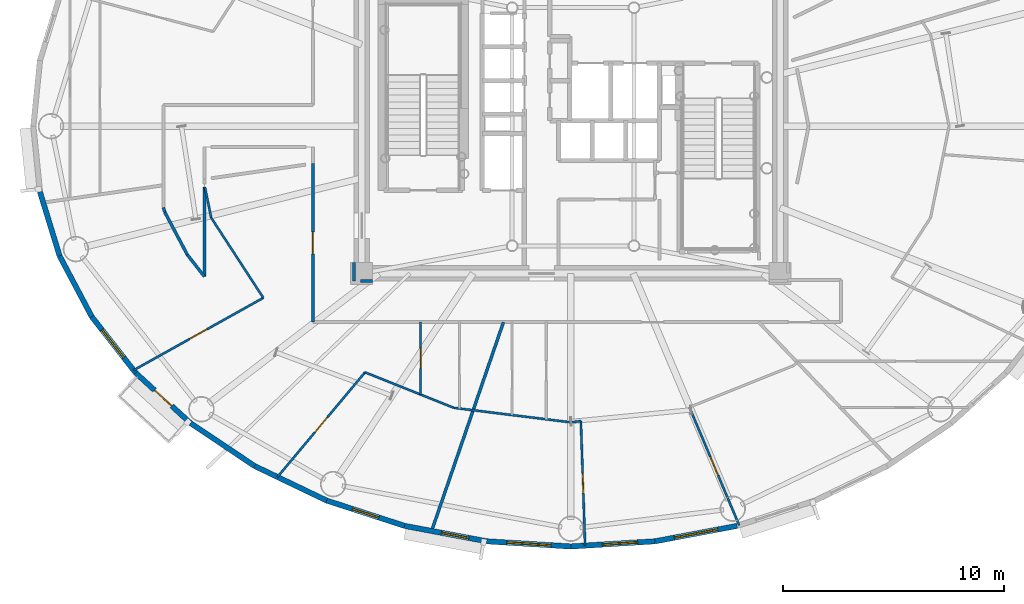
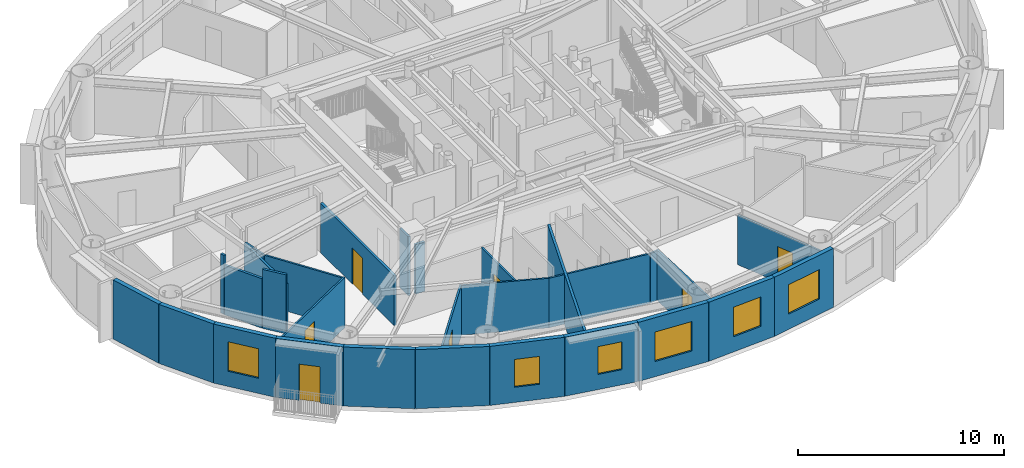
# One storey, part 8 of 20: 29 walls, 7 doors, 6 windows, 13 openings.
"""IFC4 building model written with IfcOpenShell, lengths in metres."""

from ifc_helpers import new_model, si_unit, direction, frame, frame_2d, origin, origin_2d, place, context, subcontext, project, spatial, rectangle, extrude, source, transform, mapped, material, layer, layer_set, type_object, element, fill, save


model = new_model("IFC4")

# Units and contexts
model_context = context("Model", 3, precision=1e-05, world=origin(), true_north=direction((0.0, 1.0)))
body_context = subcontext(model_context, "Body", "Model", "MODEL_VIEW")
ifc_project = project(units=[si_unit("LENGTHUNIT", "METRE"), si_unit("AREAUNIT", "SQUARE_METRE"), si_unit("VOLUMEUNIT", "CUBIC_METRE"), si_unit("PLANEANGLEUNIT", "RADIAN"), si_unit("MASSUNIT", "GRAM", prefix="KILO")], contexts=[model_context])

# Site, building, storey
site_placement = place(None, origin())
site = spatial("IfcSite", under=ifc_project, at=site_placement, CompositionType="ELEMENT")
building_placement = place(site_placement, origin())
building = spatial("IfcBuilding", under=site, at=building_placement, Name="Linh Dai School and Residence Tower", CompositionType="ELEMENT")
storey_placement = place(building_placement, frame((0.0, 0.0, 232.800048828125)))
storey = spatial("IfcBuildingStorey", under=building, at=storey_placement, Name="L57", CompositionType="ELEMENT", Elevation=232.800048828125)

# Walls
ifc_material_1 = material(Name="Precast Concrete B45 (C35/45)", Category="concrete")
ifc_layer_1 = layer(ifc_material_1, 0.239990234375)
ifc_layer_set_1 = layer_set([ifc_layer_1], Name="Precast Concrete B45 (C35/45)")
wall_type_1 = type_object("IfcWallType", Name="EW-TC-240", PredefinedType="SOLIDWALL", material=ifc_layer_set_1)
wall_1_placement = place(storey_placement, frame((12.90966796875, 21.14404296875, 0.0), z_axis=(0.0, 0.0, 1.0), x_axis=(-0.293132907334, 0.95607170162, 0.0)))
element("IfcWall", 1, at=wall_1_placement, inside=storey, type_object=wall_type_1, Name="L57 Terracotta Exterior Wall 22", PredefinedType="SOLIDWALL", context=body_context, shape_type="SweptSolid", body=[
    extrude(rectangle(XDim=3.02490234375, YDim=0.239990234375, at=frame_2d((1.512451171875, 0.0))), origin(), (0.0, 0.0, 1.0), 3.5),
])
wall_2_placement = place(storey_placement, frame((14.3642578125, 18.394775390625, 0.0), z_axis=(0.0, 0.0, 1.0), x_axis=(-0.46766049993, 0.883908172157, 0.0)))
element("IfcWall", 2, at=wall_2_placement, inside=storey, type_object=wall_type_1, Name="L57 Terracotta Exterior Wall 23", PredefinedType="SOLIDWALL", context=body_context, shape_type="SweptSolid", body=[
    extrude(rectangle(XDim=3.1103515625, YDim=0.239990234375, at=frame_2d((1.55517578125, 0.0))), origin(), (0.0, 0.0, 1.0), 3.5),
])

# Wall, opening, window
wall_3_placement = place(storey_placement, frame((16.3515625, 15.85546875, 0.0), z_axis=(0.0, 0.0, 1.0), x_axis=(-0.616312344705, 0.787501805562, 0.0)))
wall_3 = element("IfcWall", 3, at=wall_3_placement, inside=storey, type_object=wall_type_1, Name="L57 Terracotta Exterior Wall 24", PredefinedType="SOLIDWALL", context=body_context, shape_type="SweptSolid", body=[
    extrude(rectangle(XDim=3.224609375, YDim=0.239990234375, at=frame_2d((1.6123046875, 0.0))), origin(), (0.0, 0.0, 1.0), 3.5),
])
opening_1_placement = place(wall_3_placement, frame((0.8759765625, 0.0, 0.89990234375)))
opening_1 = element("IfcOpeningElement", 4, at=opening_1_placement, cuts=wall_3, Name="Opening W2", PredefinedType="OPENING", context=body_context, shape_type="SweptSolid", body=[
    extrude(rectangle(XDim=1.60009765625, YDim=1.75, at=origin_2d()), frame((0.800048828125, 0.1298828125, 0.875), z_axis=(0.0, -1.0, 0.0), x_axis=(1.0, 0.0, 0.0)), (0.0, 0.0, 1.0), 0.260009765625),
])
ifc_material_2 = material(Name="Double Low-E Insulated Glazing", Category="glass")
window_type_1 = type_object("IfcWindowType", Name="WN-RES-1600x1750", PartitioningType="DOUBLE_PANEL_VERTICAL", PredefinedType="WINDOW", material=ifc_material_2)
shared_shape_1 = source(origin(), body_context, "Body", "SweptSolid", [
    extrude(rectangle(XDim=1.60009765625, YDim=1.75, at=origin_2d()), frame((0.800048828125, 0.030029296875, 0.875), z_axis=(0.0, -1.0, 0.0), x_axis=(1.0, 0.0, 0.0)), (0.0, 0.0, 1.0), 0.06005859375),
])
window_1_placement = place(opening_1_placement, origin())
window_1 = element("IfcWindow", 5, at=window_1_placement, inside=storey, type_object=window_type_1, Name="L57 Exterior Window 24.1", OverallHeight=1.75, OverallWidth=1.60009765625, PartitioningType="DOUBLE_PANEL_VERTICAL", PredefinedType="WINDOW", context=body_context, shape_type="MappedRepresentation", body=[
    mapped(shared_shape_1, transform((0.0, 0.0, 0.0), x_axis=(1.0, 0.0, 0.0), y_axis=(0.0, 1.0, 0.0), z_axis=(0.0, 0.0, 1.0), scale=1.0)),
])
fill(opening_1, window_1)

# Wall, opening, door
wall_4_placement = place(storey_placement, frame((18.82373046875, 13.589111328125, 0.0), z_axis=(0.0, 0.0, 1.0), x_axis=(-0.737123922599, 0.675757591694, 0.0)))
wall_4 = element("IfcWall", 6, at=wall_4_placement, inside=storey, type_object=wall_type_1, Name="L57 Terracotta Exterior Wall 25", PredefinedType="SOLIDWALL", context=body_context, shape_type="SweptSolid", body=[
    extrude(rectangle(XDim=3.353759765625, YDim=0.239990234375, at=frame_2d((1.6767578125, 0.0))), origin(), (0.0, 0.0, 1.0), 3.5),
])
opening_2_placement = place(wall_4_placement, frame((1.15185546875, 0.0, 0.0)))
opening_2 = element("IfcOpeningElement", 7, at=opening_2_placement, cuts=wall_4, Name="Opening BD1", PredefinedType="OPENING", context=body_context, shape_type="SweptSolid", body=[
    extrude(rectangle(XDim=1.050048828125, YDim=2.14990234375, at=origin_2d()), frame((0.52490234375, 0.1298828125, 1.074951171875), z_axis=(0.0, -1.0, 0.0), x_axis=(1.0, 0.0, 0.0)), (0.0, 0.0, 1.0), 0.260009765625),
])
ifc_material_3 = material(Name="Double-Glazed Balcony Door", Category="glass")
door_type_1 = type_object("IfcDoorType", Name="DR-BALC-1050x2150", OperationType="NOTDEFINED", PredefinedType="DOOR", material=ifc_material_3)
shared_shape_2 = source(origin(), body_context, "Body", "SweptSolid", [
    extrude(rectangle(XDim=1.050048828125, YDim=2.14990234375, at=origin_2d()), frame((0.52490234375, 0.02490234375, 1.074951171875), z_axis=(0.0, -1.0, 0.0), x_axis=(1.0, 0.0, 0.0)), (0.0, 0.0, 1.0), 0.050048828125),
])
door_1_placement = place(opening_2_placement, origin())
door_1 = element("IfcDoor", 8, at=door_1_placement, inside=storey, type_object=door_type_1, Name="L57 Glazed Balcony Door 25", OperationType="SINGLE_SWING_RIGHT", OverallHeight=2.14990234375, OverallWidth=1.050048828125, PredefinedType="DOOR", context=body_context, shape_type="MappedRepresentation", body=[
    mapped(shared_shape_2, transform((0.0, 0.0, 0.0), x_axis=(1.0, 0.0, 0.0), y_axis=(0.0, 1.0, 0.0), z_axis=(0.0, 0.0, 1.0), scale=1.0)),
])
fill(opening_2, door_1)

# Walls
wall_5_placement = place(storey_placement, frame((21.719970703125, 11.65234375, 0.0), z_axis=(0.0, 0.0, 1.0), x_axis=(-0.831262496074, 0.555880079352, 0.0)))
element("IfcWall", 9, at=wall_5_placement, inside=storey, type_object=wall_type_1, Name="L57 Terracotta Exterior Wall 26", PredefinedType="SOLIDWALL", context=body_context, shape_type="SweptSolid", body=[
    extrude(rectangle(XDim=3.484130859375, YDim=0.239990234375, at=frame_2d((1.7421875, 0.0))), origin(), (0.0, 0.0, 1.0), 3.5),
])
wall_6_placement = place(storey_placement, frame((24.968994140625, 10.093505859375, 0.0), z_axis=(0.0, 0.0, 1.0), x_axis=(-0.901598104751, 0.432574684313, 0.0)))
element("IfcWall", 10, at=wall_6_placement, inside=storey, type_object=wall_type_1, Name="L57 Terracotta Exterior Wall 27", PredefinedType="SOLIDWALL", context=body_context, shape_type="SweptSolid", body=[
    extrude(rectangle(XDim=3.603515625, YDim=0.239990234375, at=frame_2d((1.8017578125, 0.0))), origin(), (0.0, 0.0, 1.0), 3.5),
])

# Wall, opening, window
wall_7_placement = place(storey_placement, frame((28.49072265625, 8.951171875, 0.0), z_axis=(0.0, 0.0, 1.0), x_axis=(-0.951210789182, 0.308541787354, 0.0)))
wall_7 = element("IfcWall", 11, at=wall_7_placement, inside=storey, type_object=wall_type_1, Name="L57 Terracotta Exterior Wall 28", PredefinedType="SOLIDWALL", context=body_context, shape_type="SweptSolid", body=[
    extrude(rectangle(XDim=3.702392578125, YDim=0.239990234375, at=frame_2d((1.85107421875, 0.0))), origin(), (0.0, 0.0, 1.0), 3.5),
])
opening_3_placement = place(wall_7_placement, frame((1.226318359375, 0.0, 0.89990234375)))
opening_3 = element("IfcOpeningElement", 12, at=opening_3_placement, cuts=wall_7, Name="Opening W3", PredefinedType="OPENING", context=body_context, shape_type="SweptSolid", body=[
    extrude(rectangle(XDim=1.25, YDim=1.64990234375, at=origin_2d()), frame((0.625, 0.1298828125, 0.824951171875), z_axis=(0.0, -1.0, 0.0), x_axis=(1.0, 0.0, 0.0)), (0.0, 0.0, 1.0), 0.260009765625),
])
window_type_2 = type_object("IfcWindowType", Name="WN-RES-1250x1650", PartitioningType="SINGLE_PANEL", PredefinedType="WINDOW", material=ifc_material_2)
shared_shape_3 = source(origin(), body_context, "Body", "SweptSolid", [
    extrude(rectangle(XDim=1.25, YDim=1.64990234375, at=origin_2d()), frame((0.625, 0.030029296875, 0.824951171875), z_axis=(0.0, -1.0, 0.0), x_axis=(1.0, 0.0, 0.0)), (0.0, 0.0, 1.0), 0.06005859375),
])
window_2_placement = place(opening_3_placement, origin())
window_2 = element("IfcWindow", 13, at=window_2_placement, inside=storey, type_object=window_type_2, Name="L57 Dwelling Window U5703-BD2", OverallHeight=1.64990234375, OverallWidth=1.25, PartitioningType="SINGLE_PANEL", PredefinedType="WINDOW", context=body_context, shape_type="MappedRepresentation", body=[
    mapped(shared_shape_3, transform((0.0, 0.0, 0.0), x_axis=(1.0, 0.0, 0.0), y_axis=(0.0, 1.0, 0.0), z_axis=(0.0, 0.0, 1.0), scale=1.0)),
])
fill(opening_3, window_2)

wall_8_placement = place(storey_placement, frame((32.198486328125, 8.254150390625, 0.0), z_axis=(0.0, 0.0, 1.0), x_axis=(-0.982784898575, 0.184753465822, 0.0)))
wall_8 = element("IfcWall", 14, at=wall_8_placement, inside=storey, type_object=wall_type_1, Name="L57 Terracotta Exterior Wall 29", PredefinedType="SOLIDWALL", context=body_context, shape_type="SweptSolid", body=[
    extrude(rectangle(XDim=3.772705078125, YDim=0.239990234375, at=frame_2d((1.88623046875, 0.0))), origin(), (0.0, 0.0, 1.0), 3.5),
])
opening_4_placement = place(wall_8_placement, frame((0.824462890625, 0.0, 0.89990234375)))
opening_4 = element("IfcOpeningElement", 15, at=opening_4_placement, cuts=wall_8, Name="Opening W3", PredefinedType="OPENING", context=body_context, shape_type="SweptSolid", body=[
    extrude(rectangle(XDim=1.25, YDim=1.64990234375, at=origin_2d()), frame((0.625, 0.1298828125, 0.824951171875), z_axis=(0.0, -1.0, 0.0), x_axis=(1.0, 0.0, 0.0)), (0.0, 0.0, 1.0), 0.260009765625),
])
window_3_placement = place(opening_4_placement, origin())
window_3 = element("IfcWindow", 16, at=window_3_placement, inside=storey, type_object=window_type_2, Name="L57 Exterior Window 29.1", OverallHeight=1.64990234375, OverallWidth=1.25, PartitioningType="SINGLE_PANEL", PredefinedType="WINDOW", context=body_context, shape_type="MappedRepresentation", body=[
    mapped(shared_shape_3, transform((0.0, 0.0, 0.0), x_axis=(1.0, 0.0, 0.0), y_axis=(0.0, 1.0, 0.0), z_axis=(0.0, 0.0, 1.0), scale=1.0)),
])
fill(opening_4, window_3)

wall_9_placement = place(storey_placement, frame((36.0, 8.02001953125, 0.0), z_axis=(0.0, 0.0, 1.0), x_axis=(-0.998108785312, 0.06147237333, 0.0)))
wall_9 = element("IfcWall", 17, at=wall_9_placement, inside=storey, type_object=wall_type_1, Name="L57 Terracotta Exterior Wall 30", PredefinedType="SOLIDWALL", context=body_context, shape_type="SweptSolid", body=[
    extrude(rectangle(XDim=3.808837890625, YDim=0.239990234375, at=frame_2d((1.904296875, 0.0))), origin(), (0.0, 0.0, 1.0), 3.5),
])
opening_5_placement = place(wall_9_placement, frame((0.904296875, 0.0, 0.89990234375)))
opening_5 = element("IfcOpeningElement", 18, at=opening_5_placement, cuts=wall_9, Name="Opening W1", PredefinedType="OPENING", context=body_context, shape_type="SweptSolid", body=[
    extrude(rectangle(XDim=2.0, YDim=1.75, at=origin_2d()), frame((1.0, 0.1298828125, 0.875), z_axis=(0.0, -1.0, 0.0), x_axis=(1.0, 0.0, 0.0)), (0.0, 0.0, 1.0), 0.260009765625),
])
window_type_3 = type_object("IfcWindowType", Name="WN-RES-2000x1750", PartitioningType="DOUBLE_PANEL_VERTICAL", PredefinedType="WINDOW", material=ifc_material_2)
shared_shape_4 = source(origin(), body_context, "Body", "SweptSolid", [
    extrude(rectangle(XDim=2.0, YDim=1.75, at=origin_2d()), frame((1.0, 0.030029296875, 0.875), z_axis=(0.0, -1.0, 0.0), x_axis=(1.0, 0.0, 0.0)), (0.0, 0.0, 1.0), 0.06005859375),
])
window_4_placement = place(opening_5_placement, origin())
window_4 = element("IfcWindow", 19, at=window_4_placement, inside=storey, type_object=window_type_3, Name="L57 Exterior Window 30.1", OverallHeight=1.75, OverallWidth=2.0, PartitioningType="DOUBLE_PANEL_VERTICAL", PredefinedType="WINDOW", context=body_context, shape_type="MappedRepresentation", body=[
    mapped(shared_shape_4, transform((0.0, 0.0, 0.0), x_axis=(1.0, 0.0, 0.0), y_axis=(0.0, 1.0, 0.0), z_axis=(0.0, 0.0, 1.0), scale=1.0)),
])
fill(opening_5, window_4)

wall_10_placement = place(storey_placement, frame((39.801513671875, 8.254150390625, 0.0), z_axis=(0.0, 0.0, 1.0), x_axis=(-0.998108785312, -0.06147237333, 0.0)))
wall_10 = element("IfcWall", 20, at=wall_10_placement, inside=storey, type_object=wall_type_1, Name="L57 Terracotta Exterior Wall 31", PredefinedType="SOLIDWALL", context=body_context, shape_type="SweptSolid", body=[
    extrude(rectangle(XDim=3.808837890625, YDim=0.239990234375, at=frame_2d((1.904296875, 0.0))), origin(), (0.0, 0.0, 1.0), 3.5),
])
opening_6_placement = place(wall_10_placement, frame((0.78466796875, 0.0, 0.89990234375)))
opening_6 = element("IfcOpeningElement", 21, at=opening_6_placement, cuts=wall_10, Name="Opening W2", PredefinedType="OPENING", context=body_context, shape_type="SweptSolid", body=[
    extrude(rectangle(XDim=1.60009765625, YDim=1.75, at=origin_2d()), frame((0.800048828125, 0.1298828125, 0.875), z_axis=(0.0, -1.0, 0.0), x_axis=(1.0, 0.0, 0.0)), (0.0, 0.0, 1.0), 0.260009765625),
])
window_5_placement = place(opening_6_placement, origin())
window_5 = element("IfcWindow", 22, at=window_5_placement, inside=storey, type_object=window_type_1, Name="L57 Exterior Window 31.1", OverallHeight=1.75, OverallWidth=1.60009765625, PartitioningType="DOUBLE_PANEL_VERTICAL", PredefinedType="WINDOW", context=body_context, shape_type="MappedRepresentation", body=[
    mapped(shared_shape_1, transform((0.0, 0.0, 0.0), x_axis=(1.0, 0.0, 0.0), y_axis=(0.0, 1.0, 0.0), z_axis=(0.0, 0.0, 1.0), scale=1.0)),
])
fill(opening_6, window_5)

wall_11_placement = place(storey_placement, frame((43.50927734375, 8.951171875, 0.0), z_axis=(0.0, 0.0, 1.0), x_axis=(-0.982784898575, -0.184753465822, 0.0)))
wall_11 = element("IfcWall", 23, at=wall_11_placement, inside=storey, type_object=wall_type_1, Name="L57 Terracotta Exterior Wall 32", PredefinedType="SOLIDWALL", context=body_context, shape_type="SweptSolid", body=[
    extrude(rectangle(XDim=3.772705078125, YDim=0.239990234375, at=frame_2d((1.88623046875, 0.0))), origin(), (0.0, 0.0, 1.0), 3.5),
])
opening_7_placement = place(wall_11_placement, frame((0.88623046875, 0.0, 0.89990234375)))
opening_7 = element("IfcOpeningElement", 24, at=opening_7_placement, cuts=wall_11, Name="Opening W1", PredefinedType="OPENING", context=body_context, shape_type="SweptSolid", body=[
    extrude(rectangle(XDim=2.0, YDim=1.75, at=origin_2d()), frame((1.0, 0.1298828125, 0.875), z_axis=(0.0, -1.0, 0.0), x_axis=(1.0, 0.0, 0.0)), (0.0, 0.0, 1.0), 0.260009765625),
])
window_6_placement = place(opening_7_placement, origin())
window_6 = element("IfcWindow", 25, at=window_6_placement, inside=storey, type_object=window_type_3, Name="L57 Exterior Window 32.1", OverallHeight=1.75, OverallWidth=2.0, PartitioningType="DOUBLE_PANEL_VERTICAL", PredefinedType="WINDOW", context=body_context, shape_type="MappedRepresentation", body=[
    mapped(shared_shape_4, transform((0.0, 0.0, 0.0), x_axis=(1.0, 0.0, 0.0), y_axis=(0.0, 1.0, 0.0), z_axis=(0.0, 0.0, 1.0), scale=1.0)),
])
fill(opening_7, window_6)

# Walls
ifc_material_4 = material(Name="Autoclaved Aerated Concrete Blockwork", Category="masonry")
ifc_layer_2 = layer(ifc_material_4, 0.135009765625)
ifc_layer_set_2 = layer_set([ifc_layer_2], Name="Autoclaved Aerated Concrete Blockwork")
wall_type_2 = type_object("IfcWallType", Name="IW-CORR-135-EI90", PredefinedType="PARTITIONING", material=ifc_layer_set_2)
wall_12_placement = place(storey_placement, frame((17.60009765625, 23.327880859375, 0.0), z_axis=(0.0, 0.0, 1.0), x_axis=(0.292875000845, -0.956150738053, 0.0)))
element("IfcWall", 26, at=wall_12_placement, inside=storey, type_object=wall_type_2, Name="L57 Interior Partition Wall 008", PredefinedType="PARTITIONING", context=body_context, shape_type="SweptSolid", body=[
    extrude(rectangle(XDim=0.226806640625, YDim=0.135009765625, at=frame_2d((0.11328125, 0.0))), origin(), (0.0, 0.0, 1.0), 3.5),
])
wall_13_placement = place(storey_placement, frame((17.66650390625, 23.111083984375, 0.0), z_axis=(0.0, 0.0, 1.0), x_axis=(0.467675622269, -0.883900171024, 0.0)))
element("IfcWall", 27, at=wall_13_placement, inside=storey, type_object=wall_type_2, Name="L57 Interior Partition Wall 010", PredefinedType="PARTITIONING", context=body_context, shape_type="SweptSolid", body=[
    extrude(rectangle(XDim=2.16845703125, YDim=0.135009765625, at=frame_2d((1.084228515625, 0.0))), origin(), (0.0, 0.0, 1.0), 2.93505859375),
])
wall_14_placement = place(storey_placement, frame((18.6806640625, 21.1943359375, 0.0), z_axis=(0.0, 0.0, 1.0), x_axis=(0.616239706802, -0.787558647823, 0.0)))
element("IfcWall", 28, at=wall_14_placement, inside=storey, type_object=wall_type_2, Name="L57 Interior Partition Wall 011", PredefinedType="PARTITIONING", context=body_context, shape_type="SweptSolid", body=[
    extrude(rectangle(XDim=1.248291015625, YDim=0.135009765625, at=frame_2d((0.6240234375, 0.0))), origin(), (0.0, 0.0, 1.0), 3.5),
])
wall_15_placement = place(storey_placement, frame((19.449951171875, 20.211181640625, 0.0), z_axis=(0.0, 0.0, 1.0), x_axis=(0.0, 1.0, 0.0)))
element("IfcWall", 29, at=wall_15_placement, inside=storey, type_object=wall_type_2, Name="L57 Interior Partition Wall 013", PredefinedType="PARTITIONING", context=body_context, shape_type="SweptSolid", body=[
    extrude(rectangle(XDim=4.042236328125, YDim=0.135009765625, at=frame_2d((2.02099609375, 0.0))), origin(), (0.0, 0.0, 1.0), 2.93505859375),
])

# Wall, opening, door
wall_16_placement = place(storey_placement, frame((24.35009765625, 18.14990234375, 0.0), z_axis=(0.0, 0.0, 1.0), x_axis=(0.0, 1.0, 0.0)))
wall_16 = element("IfcWall", 30, at=wall_16_placement, inside=storey, type_object=wall_type_2, Name="L57 Interior Partition Wall 020", PredefinedType="PARTITIONING", context=body_context, shape_type="SweptSolid", body=[
    extrude(rectangle(XDim=7.16259765625, YDim=0.135009765625, at=frame_2d((3.581298828125, 0.0))), origin(), (0.0, 0.0, 1.0), 2.93505859375),
])
opening_8_placement = place(wall_16_placement, frame((3.081298828125, 0.0, 0.0)))
opening_8 = element("IfcOpeningElement", 31, at=opening_8_placement, cuts=wall_16, Name="Opening D03", PredefinedType="OPENING", context=body_context, shape_type="SweptSolid", body=[
    extrude(rectangle(XDim=1.0, YDim=2.14990234375, at=origin_2d()), frame((0.5, 0.07763671875, 1.074951171875), z_axis=(0.0, -1.0, 0.0), x_axis=(1.0, 0.0, 0.0)), (0.0, 0.0, 1.0), 0.155029296875),
])
ifc_material_5 = material(Name="Fire-Rated Solid Timber Entrance Door", Category="wood")
door_type_2 = type_object("IfcDoorType", Name="DR-FLAT-1000x2150-FD60S", OperationType="NOTDEFINED", PredefinedType="DOOR", material=ifc_material_5)
shared_shape_5 = source(origin(), body_context, "Body", "SweptSolid", [
    extrude(rectangle(XDim=1.0, YDim=2.14990234375, at=origin_2d()), frame((0.5, 0.02490234375, 1.074951171875), z_axis=(0.0, -1.0, 0.0), x_axis=(1.0, 0.0, 0.0)), (0.0, 0.0, 1.0), 0.050048828125),
])
door_2_placement = place(opening_8_placement, origin())
door_2 = element("IfcDoor", 32, at=door_2_placement, inside=storey, type_object=door_type_2, Name="L57 U5703 Apartment Entrance Door", OperationType="SINGLE_SWING_RIGHT", OverallHeight=2.14990234375, OverallWidth=1.0, PredefinedType="DOOR", context=body_context, shape_type="MappedRepresentation", body=[
    mapped(shared_shape_5, transform((0.0, 0.0, 0.0), x_axis=(1.0, 0.0, 0.0), y_axis=(0.0, 1.0, 0.0), z_axis=(0.0, 0.0, 1.0), scale=1.0)),
])
fill(opening_8, door_2)

# Walls
wall_17_placement = place(storey_placement, frame((29.7109375, 8.716796875, 0.0), z_axis=(0.0, 0.0, 1.0), x_axis=(0.325280852175, 0.945617452889, 0.0)))
element("IfcWall", 33, at=wall_17_placement, inside=storey, type_object=wall_type_2, Name="L57 Interior Partition Wall 029", PredefinedType="PARTITIONING", context=body_context, shape_type="SweptSolid", body=[
    extrude(rectangle(XDim=9.9755859375, YDim=0.135009765625, at=frame_2d((4.98779296875, 0.0))), origin(), (0.0, 0.0, 1.0), 2.98486328125),
])
wall_18_placement = place(storey_placement, frame((26.199951171875, 20.840087890625, 0.0), z_axis=(0.0, 0.0, 1.0), x_axis=(0.0, -1.0, 0.0)))
element("IfcWall", 34, at=wall_18_placement, inside=storey, type_object=wall_type_2, Name="L57 Interior Partition Wall 109", PredefinedType="PARTITIONING", context=body_context, shape_type="SweptSolid", body=[
    extrude(rectangle(XDim=0.840087890625, YDim=0.135009765625, at=frame_2d((0.419921875, 0.0))), origin(), (0.0, 0.0, 1.0), 3.5),
])
wall_19_placement = place(storey_placement, frame((26.507568359375, 20.0, 0.0), z_axis=(0.0, 0.0, 1.0), x_axis=(1.0, 0.0, 0.0)))
element("IfcWall", 35, at=wall_19_placement, inside=storey, type_object=wall_type_2, Name="L57 Interior Partition Wall 110", PredefinedType="PARTITIONING", context=body_context, shape_type="SweptSolid", body=[
    extrude(rectangle(XDim=0.532470703125, YDim=0.135009765625, at=frame_2d((0.26611328125, 0.0))), origin(), (0.0, 0.0, 1.0), 2.93505859375),
])

# Wall, opening, door
ifc_material_6 = material(Name="Gypsum Plasterboard Acoustic Stud Partition", Category="masonry")
ifc_layer_3 = layer(ifc_material_6, 0.10009765625)
ifc_layer_set_3 = layer_set([ifc_layer_3], Name="Gypsum Plasterboard Acoustic Stud Partition")
wall_type_3 = type_object("IfcWallType", Name="IW-UNIT-100", PredefinedType="PARTITIONING", material=ifc_layer_set_3)
wall_20_placement = place(storey_placement, frame((16.250244140625, 15.97705078125, 0.0), z_axis=(0.0, 0.0, 1.0), x_axis=(0.87319302211, 0.487374543999, 0.0)))
wall_20 = element("IfcWall", 36, at=wall_20_placement, inside=storey, type_object=wall_type_3, Name="L57 Interior Partition Wall 006", PredefinedType="PARTITIONING", context=body_context, shape_type="SweptSolid", body=[
    extrude(rectangle(XDim=6.7119140625, YDim=0.10009765625, at=frame_2d((3.35595703125, 0.0))), origin(), (0.0, 0.0, 1.0), 2.98486328125),
])
opening_9_placement = place(wall_20_placement, frame((2.906005859375, 0.0, 0.0)))
opening_9 = element("IfcOpeningElement", 37, at=opening_9_placement, cuts=wall_20, Name="Opening D05", PredefinedType="OPENING", context=body_context, shape_type="SweptSolid", body=[
    extrude(rectangle(XDim=0.89990234375, YDim=2.10009765625, at=origin_2d()), frame((0.449951171875, 0.06005859375, 1.050048828125), z_axis=(0.0, -1.0, 0.0), x_axis=(1.0, 0.0, 0.0)), (0.0, 0.0, 1.0), 0.1201171875),
])
ifc_material_7 = material(Name="Engineered Timber Internal Door", Category="wood")
door_type_3 = type_object("IfcDoorType", Name="DR-INT-900x2100", OperationType="NOTDEFINED", PredefinedType="DOOR", material=ifc_material_7)
shared_shape_6 = source(origin(), body_context, "Body", "SweptSolid", [
    extrude(rectangle(XDim=0.89990234375, YDim=2.10009765625, at=origin_2d()), frame((0.449951171875, 0.02490234375, 1.050048828125), z_axis=(0.0, -1.0, 0.0), x_axis=(1.0, 0.0, 0.0)), (0.0, 0.0, 1.0), 0.050048828125),
])
door_3_placement = place(opening_9_placement, origin())
door_3 = element("IfcDoor", 38, at=door_3_placement, inside=storey, type_object=door_type_3, Name="L57 Apartment U5703 Principal Bedroom 1 Door", OperationType="SINGLE_SWING_LEFT", OverallHeight=2.10009765625, OverallWidth=0.89990234375, PredefinedType="DOOR", context=body_context, shape_type="MappedRepresentation", body=[
    mapped(shared_shape_6, transform((0.0, 0.0, 0.0), x_axis=(1.0, 0.0, 0.0), y_axis=(0.0, 1.0, 0.0), z_axis=(0.0, 0.0, 1.0), scale=1.0)),
])
fill(opening_9, door_3)

# Walls
wall_21_placement = place(storey_placement, frame((19.47509765625, 24.255859375, 0.0), z_axis=(0.0, 0.0, 1.0), x_axis=(0.198203790622, -0.980160832406, 0.0)))
element("IfcWall", 39, at=wall_21_placement, inside=storey, type_object=wall_type_3, Name="L57 Interior Partition Wall 015", PredefinedType="PARTITIONING", context=body_context, shape_type="SweptSolid", body=[
    extrude(rectangle(XDim=1.41650390625, YDim=0.10009765625, at=frame_2d((0.708251953125, 0.0))), origin(), (0.0, 0.0, 1.0), 2.93505859375),
])
wall_22_placement = place(storey_placement, frame((19.755859375, 22.867431640625, 0.0), z_axis=(0.0, 0.0, 1.0), x_axis=(0.545441385955, -0.83814896915, 0.0)))
element("IfcWall", 40, at=wall_22_placement, inside=storey, type_object=wall_type_3, Name="L57 Interior Partition Wall 016", PredefinedType="PARTITIONING", context=body_context, shape_type="SweptSolid", body=[
    extrude(rectangle(XDim=4.318115234375, YDim=0.10009765625, at=frame_2d((2.1591796875, 0.0))), origin(), (0.0, 0.0, 1.0), 2.93505859375),
])

# Wall, opening, door
wall_23_placement = place(storey_placement, frame((22.7470703125, 11.154052734375, 0.0), z_axis=(0.0, 0.0, 1.0), x_axis=(0.641565789242, 0.767068013982, 0.0)))
wall_23 = element("IfcWall", 41, at=wall_23_placement, inside=storey, type_object=wall_type_3, Name="L57 Interior Partition Wall 019", PredefinedType="PARTITIONING", context=body_context, shape_type="SweptSolid", body=[
    extrude(rectangle(XDim=6.166748046875, YDim=0.10009765625, at=frame_2d((3.08349609375, 0.0))), origin(), (0.0, 0.0, 1.0), 2.98486328125),
])
opening_10_placement = place(wall_23_placement, frame((2.63330078125, 0.0, 0.0)))
opening_10 = element("IfcOpeningElement", 42, at=opening_10_placement, cuts=wall_23, Name="Opening D05", PredefinedType="OPENING", context=body_context, shape_type="SweptSolid", body=[
    extrude(rectangle(XDim=0.89990234375, YDim=2.10009765625, at=origin_2d()), frame((0.449951171875, 0.06005859375, 1.050048828125), z_axis=(0.0, -1.0, 0.0), x_axis=(1.0, 0.0, 0.0)), (0.0, 0.0, 1.0), 0.1201171875),
])
door_4_placement = place(opening_10_placement, origin())
door_4 = element("IfcDoor", 43, at=door_4_placement, inside=storey, type_object=door_type_3, Name="L57 Apartment U5703 Bedroom 2 Door", OperationType="SINGLE_SWING_RIGHT", OverallHeight=2.10009765625, OverallWidth=0.89990234375, PredefinedType="DOOR", context=body_context, shape_type="MappedRepresentation", body=[
    mapped(shared_shape_6, transform((0.0, 0.0, 0.0), x_axis=(1.0, 0.0, 0.0), y_axis=(0.0, 1.0, 0.0), z_axis=(0.0, 0.0, 1.0), scale=1.0)),
])
fill(opening_10, door_4)

# Wall
wall_24_placement = place(storey_placement, frame((26.703369140625, 15.88427734375, 0.0), z_axis=(0.0, 0.0, 1.0), x_axis=(0.928807108231, -0.370563564991, 0.0)))
element("IfcWall", 44, at=wall_24_placement, inside=storey, type_object=wall_type_3, Name="L57 Interior Partition Wall 025", PredefinedType="PARTITIONING", context=body_context, shape_type="SweptSolid", body=[
    extrude(rectangle(XDim=4.32666015625, YDim=0.10009765625, at=frame_2d((2.163330078125, 0.0))), origin(), (0.0, 0.0, 1.0), 2.93505859375),
])

# Wall, opening, door
wall_25_placement = place(storey_placement, frame((29.212890625, 14.883056640625, 0.0), z_axis=(0.0, 0.0, 1.0), x_axis=(0.0, 1.0, 0.0)))
wall_25 = element("IfcWall", 45, at=wall_25_placement, inside=storey, type_object=wall_type_3, Name="L57 Interior Partition Wall 027", PredefinedType="PARTITIONING", context=body_context, shape_type="SweptSolid", body=[
    extrude(rectangle(XDim=3.266845703125, YDim=0.10009765625, at=frame_2d((1.63330078125, 0.0))), origin(), (0.0, 0.0, 1.0), 2.93505859375),
])
opening_11_placement = place(wall_25_placement, frame((1.183349609375, 0.0, 0.0)))
opening_11 = element("IfcOpeningElement", 46, at=opening_11_placement, cuts=wall_25, Name="Opening D05", PredefinedType="OPENING", context=body_context, shape_type="SweptSolid", body=[
    extrude(rectangle(XDim=0.89990234375, YDim=2.10009765625, at=origin_2d()), frame((0.449951171875, 0.06005859375, 1.050048828125), z_axis=(0.0, -1.0, 0.0), x_axis=(1.0, 0.0, 0.0)), (0.0, 0.0, 1.0), 0.1201171875),
])
door_5_placement = place(opening_11_placement, origin())
door_5 = element("IfcDoor", 47, at=door_5_placement, inside=storey, type_object=door_type_3, Name="L57 Apartment U5703 Kitchen Door", OperationType="SINGLE_SWING_LEFT", OverallHeight=2.10009765625, OverallWidth=0.89990234375, PredefinedType="DOOR", context=body_context, shape_type="MappedRepresentation", body=[
    mapped(shared_shape_6, transform((0.0, 0.0, 0.0), x_axis=(1.0, 0.0, 0.0), y_axis=(0.0, 1.0, 0.0), z_axis=(0.0, 0.0, 1.0), scale=1.0)),
])
fill(opening_11, door_5)

# Walls
wall_26_placement = place(storey_placement, frame((30.721923828125, 14.281005859375, 0.0), z_axis=(0.0, 0.0, 1.0), x_axis=(0.992398864395, -0.123062967412, 0.0)))
element("IfcWall", 48, at=wall_26_placement, inside=storey, type_object=wall_type_3, Name="L57 Interior Partition Wall 030", PredefinedType="PARTITIONING", context=body_context, shape_type="SweptSolid", body=[
    extrude(rectangle(XDim=5.31884765625, YDim=0.10009765625, at=frame_2d((2.659423828125, 0.0))), origin(), (0.0, 0.0, 1.0), 2.93505859375),
])
wall_27_placement = place(storey_placement, frame((36.0, 13.62646484375, 0.0), z_axis=(0.0, 0.0, 1.0), x_axis=(0.992368340182, 0.123308869931, 0.0)))
element("IfcWall", 49, at=wall_27_placement, inside=storey, type_object=wall_type_3, Name="L57 Interior Partition Wall 058", PredefinedType="PARTITIONING", context=body_context, shape_type="SweptSolid", body=[
    extrude(rectangle(XDim=0.455322265625, YDim=0.10009765625, at=frame_2d((0.2275390625, 0.0))), origin(), (0.0, 0.0, 1.0), 2.93505859375),
])

# Wall, opening, door
wall_28_placement = place(storey_placement, frame((36.451904296875, 13.6826171875, 0.0), z_axis=(0.0, 0.0, 1.0), x_axis=(0.033903801357, -0.999425100872, 0.0)))
wall_28 = element("IfcWall", 50, at=wall_28_placement, inside=storey, type_object=wall_type_3, Name="L57 Interior Partition Wall 061", PredefinedType="PARTITIONING", context=body_context, shape_type="SweptSolid", body=[
    extrude(rectangle(XDim=5.631103515625, YDim=0.10009765625, at=frame_2d((2.8154296875, 0.0))), origin(), (0.0, 0.0, 1.0), 2.98486328125),
])
opening_12_placement = place(wall_28_placement, frame((2.365478515625, 0.0, 0.0)))
opening_12 = element("IfcOpeningElement", 51, at=opening_12_placement, cuts=wall_28, Name="Opening D05", PredefinedType="OPENING", context=body_context, shape_type="SweptSolid", body=[
    extrude(rectangle(XDim=0.89990234375, YDim=2.10009765625, at=origin_2d()), frame((0.449951171875, 0.06005859375, 1.050048828125), z_axis=(0.0, -1.0, 0.0), x_axis=(1.0, 0.0, 0.0)), (0.0, 0.0, 1.0), 0.1201171875),
])
door_6_placement = place(opening_12_placement, origin())
door_6 = element("IfcDoor", 52, at=door_6_placement, inside=storey, type_object=door_type_3, Name="L57 Apartment U5704 Bedroom 1 Door", OperationType="SINGLE_SWING_RIGHT", OverallHeight=2.10009765625, OverallWidth=0.89990234375, PredefinedType="DOOR", context=body_context, shape_type="MappedRepresentation", body=[
    mapped(shared_shape_6, transform((0.0, 0.0, 0.0), x_axis=(1.0, 0.0, 0.0), y_axis=(0.0, 1.0, 0.0), z_axis=(0.0, 0.0, 1.0), scale=1.0)),
])
fill(opening_12, door_6)

wall_29_placement = place(storey_placement, frame((41.35205078125, 14.310546875, 0.0), z_axis=(0.0, 0.0, 1.0), x_axis=(0.388594226314, -0.921408990229, 0.0)))
wall_29 = element("IfcWall", 53, at=wall_29_placement, inside=storey, type_object=wall_type_3, Name="L57 Interior Partition Wall 073", PredefinedType="PARTITIONING", context=body_context, shape_type="SweptSolid", body=[
    extrude(rectangle(XDim=5.78955078125, YDim=0.10009765625, at=frame_2d((2.894775390625, 0.0))), origin(), (0.0, 0.0, 1.0), 2.93505859375),
])
opening_13_placement = place(wall_29_placement, frame((2.44482421875, 0.0, 0.0)))
opening_13 = element("IfcOpeningElement", 54, at=opening_13_placement, cuts=wall_29, Name="Opening D05", PredefinedType="OPENING", context=body_context, shape_type="SweptSolid", body=[
    extrude(rectangle(XDim=0.89990234375, YDim=2.10009765625, at=origin_2d()), frame((0.449951171875, 0.06005859375, 1.050048828125), z_axis=(0.0, -1.0, 0.0), x_axis=(1.0, 0.0, 0.0)), (0.0, 0.0, 1.0), 0.1201171875),
])
door_7_placement = place(opening_13_placement, origin())
door_7 = element("IfcDoor", 55, at=door_7_placement, inside=storey, type_object=door_type_3, Name="L57 Apartment U5704 Bedroom 2 Door", OperationType="SINGLE_SWING_LEFT", OverallHeight=2.10009765625, OverallWidth=0.89990234375, PredefinedType="DOOR", context=body_context, shape_type="MappedRepresentation", body=[
    mapped(shared_shape_6, transform((0.0, 0.0, 0.0), x_axis=(1.0, 0.0, 0.0), y_axis=(0.0, 1.0, 0.0), z_axis=(0.0, 0.0, 1.0), scale=1.0)),
])
fill(opening_13, door_7)

save(model, "model.ifc")
